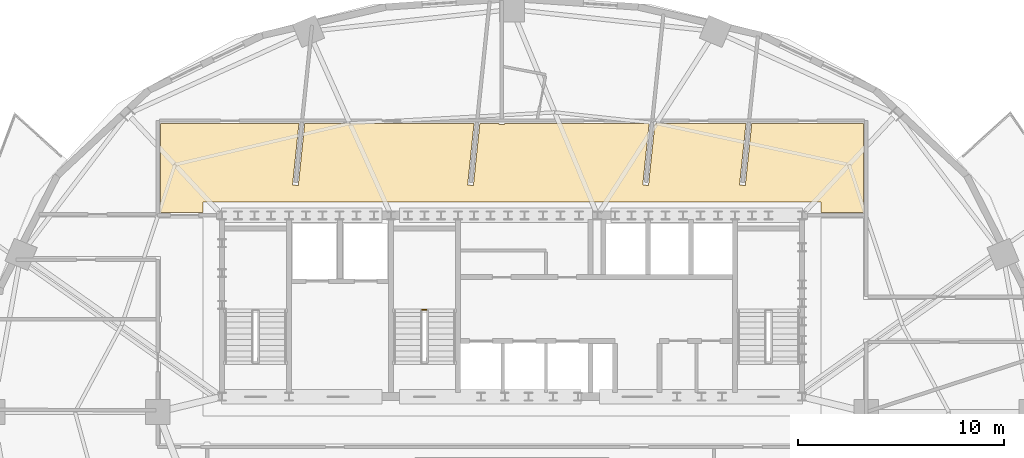
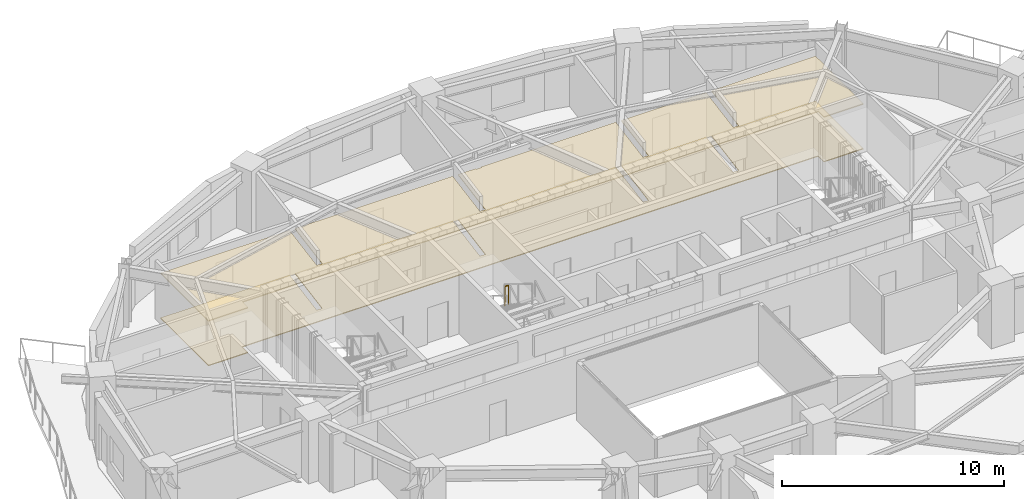
# One storey, part 12 of 13: 2 coverings, 1 railing.
"""IFC4 building model written with IfcOpenShell, lengths in metres."""

from ifc_helpers import new_model, si_unit, direction, frame, origin, origin_2d, place, context, subcontext, project, spatial, polyline, rectangle, outline, extrude, material, layer, layer_set, type_object, element, save


model = new_model("IFC4")

# Units and contexts
model_context = context("Model", 3, precision=1e-05, world=origin(), true_north=direction((0.0, 1.0)))
body_context = subcontext(model_context, "Body", "Model", "MODEL_VIEW")
ifc_project = project(units=[si_unit("LENGTHUNIT", "METRE"), si_unit("AREAUNIT", "SQUARE_METRE"), si_unit("VOLUMEUNIT", "CUBIC_METRE"), si_unit("PLANEANGLEUNIT", "RADIAN"), si_unit("MASSUNIT", "GRAM", prefix="KILO")], contexts=[model_context])

# Site, building, storey
site_placement = place(None, origin())
site = spatial("IfcSite", under=ifc_project, at=site_placement, CompositionType="ELEMENT")
building_placement = place(site_placement, origin())
building = spatial("IfcBuilding", under=site, at=building_placement, Name="Haldorwick Loom Tower", CompositionType="ELEMENT")
storey_placement = place(building_placement, frame((0.0, 0.0, 178.60009765625)))
storey = spatial("IfcBuildingStorey", under=building, at=storey_placement, Name="L48", CompositionType="ELEMENT", Elevation=178.60009765625)

# Coverings
ifc_material_1 = material(Name="Mineral Fibre Acoustic Ceiling Tile")
ifc_layer_1 = layer(ifc_material_1, 0.054931640625, Name="Mineral Fibre Acoustic Ceiling Tile")
ifc_layer_set_1 = layer_set([ifc_layer_1], Name="Mineral Fibre Acoustic Ceiling Tile")
covering_type_1 = type_object("IfcCoveringType", Name="ARC-COV-CEIL2", PredefinedType="CEILING", material=ifc_layer_set_1)
covering_1_placement = place(storey_placement, frame((0.0, 0.0, 2.4580078125)))
element("IfcCovering", 1, at=covering_1_placement, inside=storey, type_object=covering_type_1, Name="L48 Acoustic Suspended Ceiling 2", PredefinedType="CEILING", context=body_context, shape_type="SweptSolid", body=[
    extrude(outline(polyline([(21.0, 35.68994140625), (21.0, 36.199951171875), (51.0, 36.199951171875), (51.0, 35.68994140625), (53.06005859375, 35.68994140625), (53.06005859375, 40.010009765625), (47.638671875, 40.010009765625), (47.326904296875, 37.01611328125), (47.326416015625, 37.01416015625), (47.325927734375, 37.01220703125), (47.3251953125, 37.010498046875), (47.324462890625, 37.0087890625), (47.323486328125, 37.007080078125), (47.322265625, 37.00537109375), (47.321044921875, 37.00390625), (47.319580078125, 37.002685546875), (47.31787109375, 37.00146484375), (47.316162109375, 37.00048828125), (47.314453125, 36.999755859375), (47.3125, 36.9990234375), (47.310791015625, 36.99853515625), (47.30859375, 36.998291015625), (47.306884765625, 36.998291015625), (47.3046875, 36.998291015625), (47.066162109375, 37.023193359375), (47.064208984375, 37.0234375), (47.062255859375, 37.02392578125), (47.060302734375, 37.024658203125), (47.05859375, 37.025390625), (47.056884765625, 37.026611328125), (47.055419921875, 37.027587890625), (47.053955078125, 37.029052734375), (47.052734375, 37.030517578125), (47.051513671875, 37.031982421875), (47.050537109375, 37.03369140625), (47.0498046875, 37.03564453125), (47.049072265625, 37.037353515625), (47.048583984375, 37.039306640625), (47.04833984375, 37.041259765625), (47.048095703125, 37.043212890625), (47.04833984375, 37.045166015625), (47.357177734375, 40.010009765625), (42.938720703125, 40.010009765625), (42.626708984375, 37.01611328125), (42.62646484375, 37.01416015625), (42.6259765625, 37.01220703125), (42.625244140625, 37.010498046875), (42.62451171875, 37.0087890625), (42.62353515625, 37.007080078125), (42.622314453125, 37.00537109375), (42.62109375, 37.00390625), (42.619384765625, 37.002685546875), (42.617919921875, 37.00146484375), (42.6162109375, 37.00048828125), (42.614501953125, 36.999755859375), (42.612548828125, 36.9990234375), (42.610595703125, 36.99853515625), (42.608642578125, 36.998291015625), (42.606689453125, 36.998291015625), (42.604736328125, 36.998291015625), (42.3662109375, 37.023193359375), (42.3642578125, 37.0234375), (42.3623046875, 37.02392578125), (42.3603515625, 37.024658203125), (42.358642578125, 37.025390625), (42.35693359375, 37.026611328125), (42.35546875, 37.027587890625), (42.35400390625, 37.029052734375), (42.352783203125, 37.030517578125), (42.3515625, 37.031982421875), (42.3505859375, 37.03369140625), (42.349609375, 37.03564453125), (42.34912109375, 37.037353515625), (42.3486328125, 37.039306640625), (42.348388671875, 37.041259765625), (42.34814453125, 37.043212890625), (42.348388671875, 37.045166015625), (42.656982421875, 40.010009765625), (35.639892578125, 40.010009765625), (35.639892578125, 39.97998046875), (35.639892578125, 39.97802734375), (35.6396484375, 39.97607421875), (35.63916015625, 39.97412109375), (35.638427734375, 39.972412109375), (35.6376953125, 39.970703125), (35.63671875, 39.968994140625), (35.635498046875, 39.96728515625), (35.634033203125, 39.9658203125), (35.6328125, 39.964599609375), (35.631103515625, 39.96337890625), (35.62939453125, 39.96240234375), (35.627685546875, 39.96142578125), (35.625732421875, 39.9609375), (35.623779296875, 39.96044921875), (35.6220703125, 39.960205078125), (35.6201171875, 39.9599609375), (35.3798828125, 39.9599609375), (35.3779296875, 39.960205078125), (35.376220703125, 39.96044921875), (35.374267578125, 39.9609375), (35.372314453125, 39.96142578125), (35.37060546875, 39.96240234375), (35.368896484375, 39.96337890625), (35.3671875, 39.964599609375), (35.365966796875, 39.9658203125), (35.364501953125, 39.96728515625), (35.36328125, 39.968994140625), (35.3623046875, 39.970703125), (35.361572265625, 39.972412109375), (35.36083984375, 39.97412109375), (35.3603515625, 39.97607421875), (35.360107421875, 39.97802734375), (35.360107421875, 39.97998046875), (35.360107421875, 40.010009765625), (34.438720703125, 40.010009765625), (34.126708984375, 37.01611328125), (34.12646484375, 37.01416015625), (34.1259765625, 37.01220703125), (34.125244140625, 37.010498046875), (34.12451171875, 37.0087890625), (34.12353515625, 37.007080078125), (34.122314453125, 37.00537109375), (34.12109375, 37.00390625), (34.119384765625, 37.002685546875), (34.117919921875, 37.00146484375), (34.1162109375, 37.00048828125), (34.114501953125, 36.999755859375), (34.112548828125, 36.9990234375), (34.110595703125, 36.99853515625), (34.108642578125, 36.998291015625), (34.106689453125, 36.998291015625), (34.104736328125, 36.998291015625), (33.8662109375, 37.023193359375), (33.8642578125, 37.0234375), (33.8623046875, 37.02392578125), (33.8603515625, 37.024658203125), (33.858642578125, 37.025390625), (33.85693359375, 37.026611328125), (33.85546875, 37.027587890625), (33.85400390625, 37.029052734375), (33.852783203125, 37.030517578125), (33.8515625, 37.031982421875), (33.8505859375, 37.03369140625), (33.849609375, 37.03564453125), (33.84912109375, 37.037353515625), (33.8486328125, 37.039306640625), (33.848388671875, 37.041259765625), (33.84814453125, 37.043212890625), (33.848388671875, 37.045166015625), (34.156982421875, 40.010009765625), (25.938720703125, 40.010009765625), (25.626708984375, 37.01611328125), (25.62646484375, 37.01416015625), (25.6259765625, 37.01220703125), (25.625244140625, 37.010498046875), (25.62451171875, 37.0087890625), (25.62353515625, 37.007080078125), (25.622314453125, 37.00537109375), (25.62109375, 37.00390625), (25.619384765625, 37.002685546875), (25.617919921875, 37.00146484375), (25.6162109375, 37.00048828125), (25.614501953125, 36.999755859375), (25.612548828125, 36.9990234375), (25.610595703125, 36.99853515625), (25.608642578125, 36.998291015625), (25.606689453125, 36.998291015625), (25.604736328125, 36.998291015625), (25.3662109375, 37.023193359375), (25.3642578125, 37.0234375), (25.3623046875, 37.02392578125), (25.3603515625, 37.024658203125), (25.358642578125, 37.025390625), (25.35693359375, 37.026611328125), (25.35546875, 37.027587890625), (25.35400390625, 37.029052734375), (25.352783203125, 37.030517578125), (25.3515625, 37.031982421875), (25.3505859375, 37.03369140625), (25.349609375, 37.03564453125), (25.34912109375, 37.037353515625), (25.3486328125, 37.039306640625), (25.348388671875, 37.041259765625), (25.34814453125, 37.043212890625), (25.348388671875, 37.045166015625), (25.656982421875, 40.010009765625), (18.93994140625, 40.010009765625), (18.93994140625, 35.68994140625), (21.0, 35.68994140625)])), origin(), (0.0, 0.0, 1.0), 0.054931640625),
])
ifc_material_2 = material(Name="Polished Aggregate Terrazzo Finish")
ifc_layer_2 = layer(ifc_material_2, 0.044921875, Name="Polished Aggregate Terrazzo Finish")
ifc_layer_set_2 = layer_set([ifc_layer_2], Name="Polished Aggregate Terrazzo Finish")
covering_type_2 = type_object("IfcCoveringType", Name="ARC-COV-FLOOR2", PredefinedType="FLOORING", material=ifc_layer_set_2)
covering_2_placement = place(storey_placement, origin())
element("IfcCovering", 2, at=covering_2_placement, inside=storey, type_object=covering_type_2, Name="L48 Floor Finish 2", PredefinedType="FLOORING", context=body_context, shape_type="SweptSolid", body=[
    extrude(outline(polyline([(21.0, 35.68994140625), (21.0, 36.199951171875), (51.0, 36.199951171875), (51.0, 35.68994140625), (53.06005859375, 35.68994140625), (53.06005859375, 40.010009765625), (47.638671875, 40.010009765625), (47.326904296875, 37.01611328125), (47.326416015625, 37.01416015625), (47.325927734375, 37.01220703125), (47.3251953125, 37.010498046875), (47.324462890625, 37.0087890625), (47.323486328125, 37.007080078125), (47.322265625, 37.00537109375), (47.321044921875, 37.00390625), (47.319580078125, 37.002685546875), (47.31787109375, 37.00146484375), (47.316162109375, 37.00048828125), (47.314453125, 36.999755859375), (47.3125, 36.9990234375), (47.310791015625, 36.99853515625), (47.30859375, 36.998291015625), (47.306884765625, 36.998291015625), (47.3046875, 36.998291015625), (47.066162109375, 37.023193359375), (47.064208984375, 37.0234375), (47.062255859375, 37.02392578125), (47.060302734375, 37.024658203125), (47.05859375, 37.025390625), (47.056884765625, 37.026611328125), (47.055419921875, 37.027587890625), (47.053955078125, 37.029052734375), (47.052734375, 37.030517578125), (47.051513671875, 37.031982421875), (47.050537109375, 37.03369140625), (47.0498046875, 37.03564453125), (47.049072265625, 37.037353515625), (47.048583984375, 37.039306640625), (47.04833984375, 37.041259765625), (47.048095703125, 37.043212890625), (47.04833984375, 37.045166015625), (47.357177734375, 40.010009765625), (42.938720703125, 40.010009765625), (42.626708984375, 37.01611328125), (42.62646484375, 37.01416015625), (42.6259765625, 37.01220703125), (42.625244140625, 37.010498046875), (42.62451171875, 37.0087890625), (42.62353515625, 37.007080078125), (42.622314453125, 37.00537109375), (42.62109375, 37.00390625), (42.619384765625, 37.002685546875), (42.617919921875, 37.00146484375), (42.6162109375, 37.00048828125), (42.614501953125, 36.999755859375), (42.612548828125, 36.9990234375), (42.610595703125, 36.99853515625), (42.608642578125, 36.998291015625), (42.606689453125, 36.998291015625), (42.604736328125, 36.998291015625), (42.3662109375, 37.023193359375), (42.3642578125, 37.0234375), (42.3623046875, 37.02392578125), (42.3603515625, 37.024658203125), (42.358642578125, 37.025390625), (42.35693359375, 37.026611328125), (42.35546875, 37.027587890625), (42.35400390625, 37.029052734375), (42.352783203125, 37.030517578125), (42.3515625, 37.031982421875), (42.3505859375, 37.03369140625), (42.349609375, 37.03564453125), (42.34912109375, 37.037353515625), (42.3486328125, 37.039306640625), (42.348388671875, 37.041259765625), (42.34814453125, 37.043212890625), (42.348388671875, 37.045166015625), (42.656982421875, 40.010009765625), (35.639892578125, 40.010009765625), (35.639892578125, 39.97998046875), (35.639892578125, 39.97802734375), (35.6396484375, 39.97607421875), (35.63916015625, 39.97412109375), (35.638427734375, 39.972412109375), (35.6376953125, 39.970703125), (35.63671875, 39.968994140625), (35.635498046875, 39.96728515625), (35.634033203125, 39.9658203125), (35.6328125, 39.964599609375), (35.631103515625, 39.96337890625), (35.62939453125, 39.96240234375), (35.627685546875, 39.96142578125), (35.625732421875, 39.9609375), (35.623779296875, 39.96044921875), (35.6220703125, 39.960205078125), (35.6201171875, 39.9599609375), (35.3798828125, 39.9599609375), (35.3779296875, 39.960205078125), (35.376220703125, 39.96044921875), (35.374267578125, 39.9609375), (35.372314453125, 39.96142578125), (35.37060546875, 39.96240234375), (35.368896484375, 39.96337890625), (35.3671875, 39.964599609375), (35.365966796875, 39.9658203125), (35.364501953125, 39.96728515625), (35.36328125, 39.968994140625), (35.3623046875, 39.970703125), (35.361572265625, 39.972412109375), (35.36083984375, 39.97412109375), (35.3603515625, 39.97607421875), (35.360107421875, 39.97802734375), (35.360107421875, 39.97998046875), (35.360107421875, 40.010009765625), (34.438720703125, 40.010009765625), (34.126708984375, 37.01611328125), (34.12646484375, 37.01416015625), (34.1259765625, 37.01220703125), (34.125244140625, 37.010498046875), (34.12451171875, 37.0087890625), (34.12353515625, 37.007080078125), (34.122314453125, 37.00537109375), (34.12109375, 37.00390625), (34.119384765625, 37.002685546875), (34.117919921875, 37.00146484375), (34.1162109375, 37.00048828125), (34.114501953125, 36.999755859375), (34.112548828125, 36.9990234375), (34.110595703125, 36.99853515625), (34.108642578125, 36.998291015625), (34.106689453125, 36.998291015625), (34.104736328125, 36.998291015625), (33.8662109375, 37.023193359375), (33.8642578125, 37.0234375), (33.8623046875, 37.02392578125), (33.8603515625, 37.024658203125), (33.858642578125, 37.025390625), (33.85693359375, 37.026611328125), (33.85546875, 37.027587890625), (33.85400390625, 37.029052734375), (33.852783203125, 37.030517578125), (33.8515625, 37.031982421875), (33.8505859375, 37.03369140625), (33.849609375, 37.03564453125), (33.84912109375, 37.037353515625), (33.8486328125, 37.039306640625), (33.848388671875, 37.041259765625), (33.84814453125, 37.043212890625), (33.848388671875, 37.045166015625), (34.156982421875, 40.010009765625), (25.938720703125, 40.010009765625), (25.626708984375, 37.01611328125), (25.62646484375, 37.01416015625), (25.6259765625, 37.01220703125), (25.625244140625, 37.010498046875), (25.62451171875, 37.0087890625), (25.62353515625, 37.007080078125), (25.622314453125, 37.00537109375), (25.62109375, 37.00390625), (25.619384765625, 37.002685546875), (25.617919921875, 37.00146484375), (25.6162109375, 37.00048828125), (25.614501953125, 36.999755859375), (25.612548828125, 36.9990234375), (25.610595703125, 36.99853515625), (25.608642578125, 36.998291015625), (25.606689453125, 36.998291015625), (25.604736328125, 36.998291015625), (25.3662109375, 37.023193359375), (25.3642578125, 37.0234375), (25.3623046875, 37.02392578125), (25.3603515625, 37.024658203125), (25.358642578125, 37.025390625), (25.35693359375, 37.026611328125), (25.35546875, 37.027587890625), (25.35400390625, 37.029052734375), (25.352783203125, 37.030517578125), (25.3515625, 37.031982421875), (25.3505859375, 37.03369140625), (25.349609375, 37.03564453125), (25.34912109375, 37.037353515625), (25.3486328125, 37.039306640625), (25.348388671875, 37.041259765625), (25.34814453125, 37.043212890625), (25.348388671875, 37.045166015625), (25.656982421875, 40.010009765625), (18.93994140625, 40.010009765625), (18.93994140625, 35.68994140625), (21.0, 35.68994140625)])), origin(), (0.0, 0.0, 1.0), 0.044921875),
])

# Railing
ifc_material_3 = material(Name="Steel CSA G40.21 350W", Category="steel")
railing_type = type_object("IfcRailingType", Name="ARC-RLG-GUARD112", PredefinedType="GUARDRAIL", material=ifc_material_3)
railing_placement = place(storey_placement, frame((31.85009765625, 30.969970703125, 1.724853515625)))
element("IfcRailing", 3, at=railing_placement, inside=storey, type_object=railing_type, Name="L48 ST-03 stair guard 2", PredefinedType="GUARDRAIL", context=body_context, shape_type="SweptSolid", body=[
    extrude(rectangle(XDim=0.048095703125, YDim=0.048095703125, at=origin_2d()), frame((0.0, 0.0, 1.076171875), z_axis=(-1.0, 0.0, 0.0), x_axis=(0.0, -1.0, 0.0)), (0.0, 0.0, 1.0), 0.2001953125),
    extrude(rectangle(XDim=0.0419921875, YDim=0.0419921875, at=origin_2d()), origin(), (0.0, 0.0, 1.0), 1.052001953125),
    extrude(rectangle(XDim=0.0419921875, YDim=0.0419921875, at=origin_2d()), frame((-0.2001953125, 0.0, 0.0)), (0.0, 0.0, 1.0), 1.052001953125),
])

save(model, "model.ifc")
